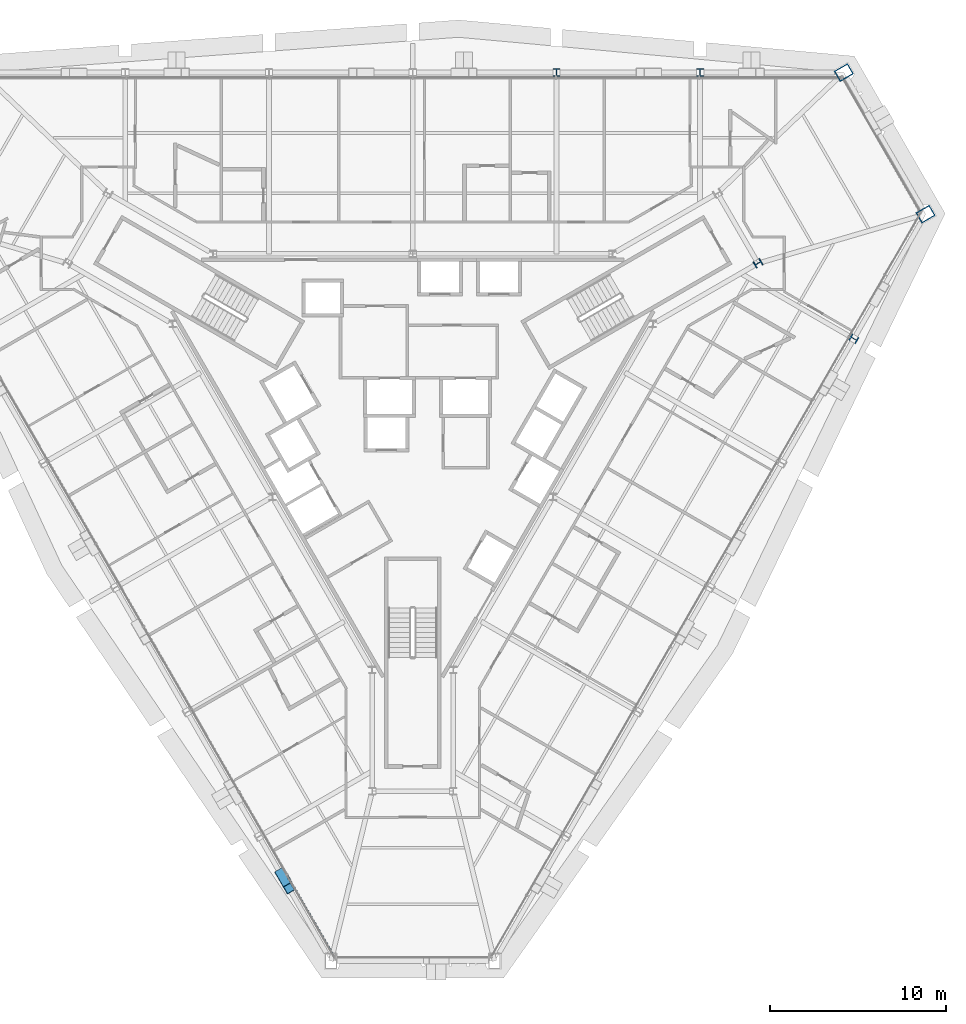
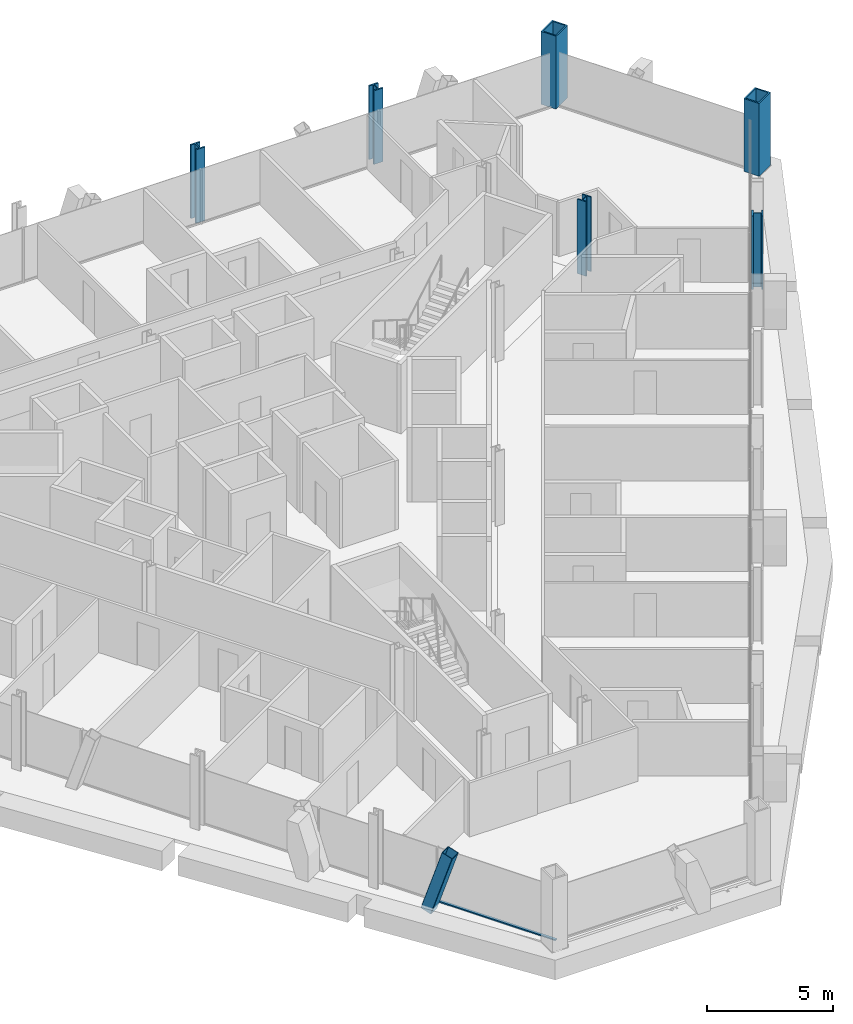
# One storey, part 2 of 19: 6 columns, 2 members, 1 element without a shape of its own.
"""IFC4 building model written with IfcOpenShell, lengths in metres."""

from ifc_helpers import new_model, si_unit, direction, frame, origin, origin_2d, place, context, subcontext, project, spatial, rectangle, hollow_rectangle, i_section, extrude, material, material_profile, profile_set, type_object, element, aggregate, save


model = new_model("IFC4")

# Units and contexts
model_context = context("Model", 3, precision=1e-05, world=origin(), true_north=direction((0.0, 1.0)))
body_context = subcontext(model_context, "Body", "Model", "MODEL_VIEW")
ifc_project = project(units=[si_unit("LENGTHUNIT", "METRE"), si_unit("AREAUNIT", "SQUARE_METRE"), si_unit("VOLUMEUNIT", "CUBIC_METRE"), si_unit("PLANEANGLEUNIT", "RADIAN"), si_unit("MASSUNIT", "GRAM", prefix="KILO")], contexts=[model_context])

# Site, building, storey
site_placement = place(None, origin())
site = spatial("IfcSite", under=ifc_project, at=site_placement, CompositionType="ELEMENT")
building_placement = place(site_placement, origin())
building = spatial("IfcBuilding", under=site, at=building_placement, Name="Verrane Prism Tower", CompositionType="ELEMENT")
storey_placement = place(building_placement, frame((0.0, 0.0, 125.199951171875)))
storey = spatial("IfcBuildingStorey", under=building, at=storey_placement, Name="L30", CompositionType="ELEMENT", Elevation=125.199951171875)

# Columns
ifc_material_1 = material(Name="Steel A992", Category="steel")
ifc_material_profile_1 = material_profile(ifc_material_1, i_section(OverallWidth=0.411376953125, OverallDepth=0.434326171875, WebThickness=0.035888671875, FlangeThickness=0.057373046875, FilletRadius=0.01513671875, at=origin_2d()), Name="W14x311")
ifc_profile_set_1 = profile_set([ifc_material_profile_1], Name="Steel A992")
column_type_1 = type_object("IfcColumnType", Name="Core corner column W14x311", PredefinedType="COLUMN", material=ifc_profile_set_1)
column_placement = place(storey_placement, frame((19.60009765625, 8.659912109375, 0.0), z_axis=(0.0, 0.0, 1.0), x_axis=(0.5, -0.866025403784, 0.0)))
element("IfcColumn", 1, at=column_placement, inside=storey, type_object=column_type_1, Name="Core corner column CK-NEm L30", PredefinedType="COLUMN", context=body_context, shape_type="SweptSolid", body=[
    extrude(i_section(OverallWidth=0.411376953125, OverallDepth=0.434326171875, WebThickness=0.035888671875, FlangeThickness=0.057373046875, FilletRadius=0.01513671875, at=origin_2d()), origin(), (0.0, 0.0, 1.0), 3.60009765625),
])
ifc_material_2 = material(Name="Steel A572 Grade 50", Category="steel")
ifc_material_profile_2 = material_profile(ifc_material_2, hollow_rectangle(XDim=0.699951171875, YDim=0.89990234375, WallThickness=0.06494140625, at=origin_2d()), Name="BOX 900x700x65")
ifc_profile_set_2 = profile_set([ifc_material_profile_2], Name="Steel A572 Grade 50")
column_type_2 = type_object("IfcColumnType", Name="Megacolumn BOX 900x700x65", PredefinedType="COLUMN", material=ifc_profile_set_2)
for number, where, z_axis, x_axis, name in (
    (2, (24.469970703125, 19.489990234375, 0.0), (0.0, 0.0, 1.0), (0.5, -0.866025403784, 0.0), "Megacolumn MC-NE.b L30"),
    (3, (29.110107421875, 11.449951171875, 0.0), (0.0, 0.0, 1.0), (0.5, -0.866025403784, 0.0), "Megacolumn MC-NE.a L30"),
):
    element("IfcColumn", number, at=place(storey_placement, frame(where, z_axis=z_axis, x_axis=x_axis)), inside=storey, type_object=column_type_2, Name=name, PredefinedType="COLUMN", context=body_context, shape_type="SweptSolid", body=[
        extrude(hollow_rectangle(XDim=0.699951171875, YDim=0.89990234375, WallThickness=0.06494140625, at=origin_2d()), origin(), (0.0, 0.0, 1.0), 3.525146484375),
    ])
ifc_material_3 = material(Name="Steel A992", Category="steel")
ifc_material_profile_3 = material_profile(ifc_material_3, i_section(OverallWidth=0.419189453125, OverallDepth=0.45458984375, WebThickness=0.042236328125, FlangeThickness=0.067626953125, FilletRadius=0.01513671875, at=origin_2d()), Name="W14x370")
ifc_profile_set_3 = profile_set([ifc_material_profile_3], Name="Steel A992")
column_type_3 = type_object("IfcColumnType", Name="Perimeter column W14x370", PredefinedType="COLUMN", material=ifc_profile_set_3)
for number, where, z_axis, x_axis, name in (
    (4, (16.31005859375, 19.489990234375, 0.0), (0.0, 0.0, 1.0), (1.0, 0.0, 0.0), "Perimeter column PC-N1 L30"),
    (5, (8.159912109375, 19.489990234375, 0.0), (0.0, 0.0, 1.0), (1.0, 0.0, 0.0), "Perimeter column PC-N2 L30"),
    (6, (25.0400390625, 4.3798828125, 0.0), (0.0, 0.0, 1.0), (-0.5, -0.866025403784, 0.0), "Perimeter column PC-SE5 L30"),
):
    element("IfcColumn", number, at=place(storey_placement, frame(where, z_axis=z_axis, x_axis=x_axis)), inside=storey, type_object=column_type_3, Name=name, PredefinedType="COLUMN", context=body_context, shape_type="SweptSolid", body=[
        extrude(i_section(OverallWidth=0.419189453125, OverallDepth=0.45458984375, WebThickness=0.042236328125, FlangeThickness=0.067626953125, FilletRadius=0.01513671875, at=origin_2d()), origin(), (0.0, 0.0, 1.0), 3.56005859375),
    ])

# Member
ifc_material_4 = material(Name="Steel A1085 Grade A", Category="steel")
ifc_material_profile_4 = material_profile(ifc_material_4, hollow_rectangle(XDim=0.508056640625, YDim=0.508056640625, WallThickness=0.025390625, InnerFilletRadius=0.0126953125, OuterFilletRadius=0.0380859375, at=origin_2d()), Name="HSS20x20x1")
ifc_profile_set_4 = profile_set([ifc_material_profile_4], Name="Steel A1085 Grade A")
member_type_1 = type_object("IfcMemberType", Name="Facade brace HSS20x20x1", PredefinedType="BRACE", material=ifc_profile_set_4)
member_1_placement = place(storey_placement, frame((-7.50634765625, -25.972900390625, -0.242431640625), z_axis=(0.154037790252, -0.266921624513, 0.951328127168), x_axis=(0.866123013327, 0.49983089719, 0.0)))
element("IfcMember", 7, at=member_1_placement, inside=storey, type_object=member_type_1, Name="Facade brace SW5 L30", PredefinedType="BRACE", context=body_context, shape_type="SweptSolid", body=[
    extrude(hollow_rectangle(XDim=0.508056640625, YDim=0.508056640625, WallThickness=0.025390625, InnerFilletRadius=0.0126953125, OuterFilletRadius=0.0380859375, at=origin_2d()), origin(), (0.0, 0.0, 1.0), 3.161865234375),
])

# Curtain wall, member
ifc_material_5 = material(Name="Aluminium framed insulated glazing", Category="aluminium")
curtain_wall_type = type_object("IfcCurtainWallType", Name="Curtain wall CW-B 5600 module", PredefinedType="NOTDEFINED", material=ifc_material_5)
curtain_wall_placement = place(storey_placement, origin())
curtain_wall = element("IfcCurtainWall", 8, at=curtain_wall_placement, inside=storey, type_object=curtain_wall_type, Name="Glazed curtain wall south-west face L30", PredefinedType="NOTDEFINED")
ifc_material_6 = material(Name="Aluminium alloy 6063-T6", Category="aluminium")
ifc_material_profile_5 = material_profile(ifc_material_6, rectangle(XDim=0.1201171875, YDim=0.06005859375, at=origin_2d()), Name="Transom 60x120 aluminium")
ifc_profile_set_5 = profile_set([ifc_material_profile_5], Name="Aluminium alloy 6063-T6")
member_type_2 = type_object("IfcMemberType", Name="Transom 60x120 aluminium", PredefinedType="USERDEFINED", material=ifc_profile_set_5)
member_2_placement = place(storey_placement, frame((-7.1337890625, -26.065673828125, 0.030029296875), z_axis=(0.499966767414, -0.866044589777, 0.0), x_axis=(0.866044589777, 0.499966767414, 0.0)))
member_2 = element("IfcMember", 9, at=member_2_placement, type_object=member_type_2, Name="CW29.4 transom 9", ObjectType="TRANSOM", PredefinedType="USERDEFINED", context=body_context, shape_type="SweptSolid", body=[
    extrude(rectangle(XDim=0.1201171875, YDim=0.06005859375, at=origin_2d()), origin(), (0.0, 0.0, 1.0), 5.391845703125),
])
aggregate(curtain_wall, [member_2])

save(model, "model.ifc")
